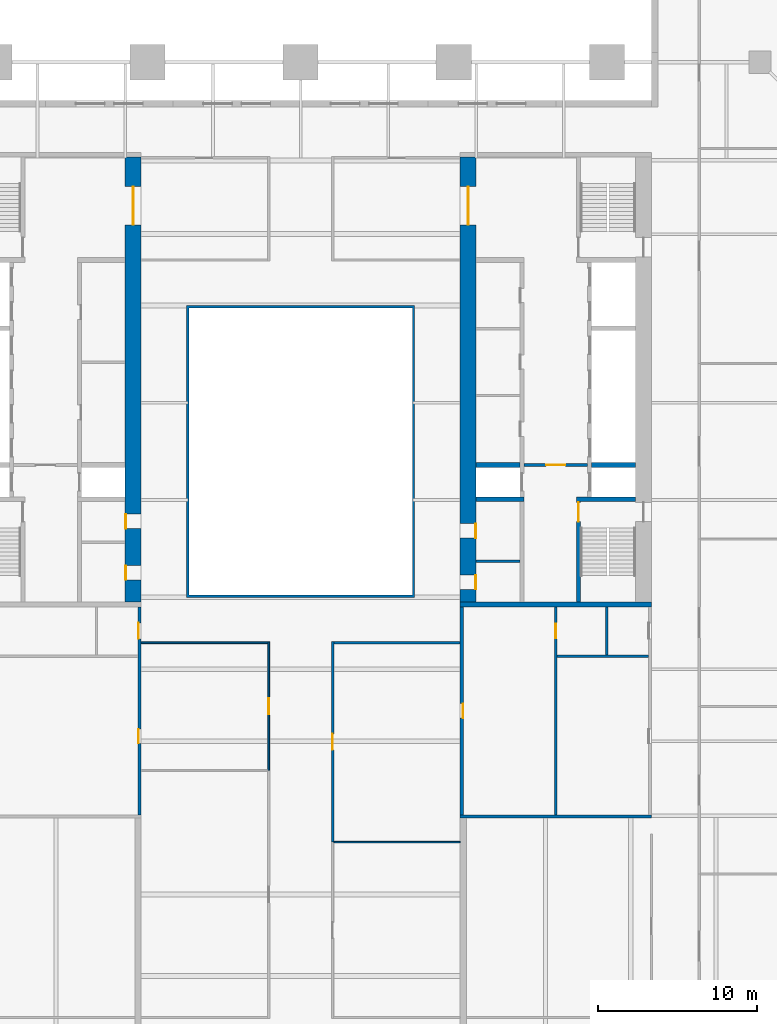
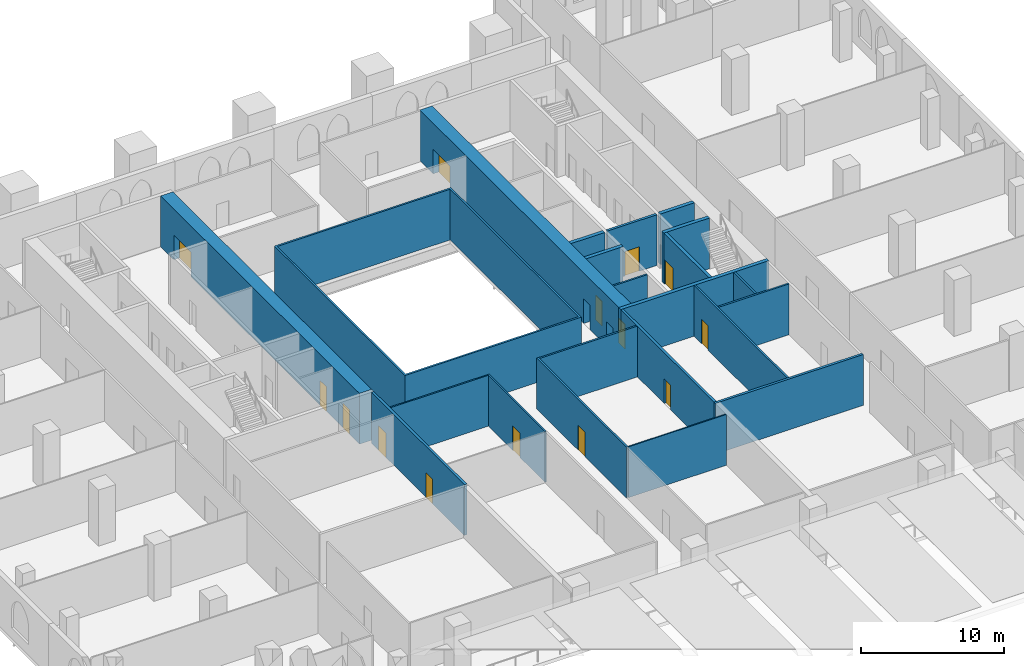
# One storey, part 11 of 18: 22 walls, 14 doors, 14 openings.
"""IFC4 building model written with IfcOpenShell, lengths in metres."""

from ifc_helpers import new_model, si_unit, direction, frame, frame_2d, origin, place, context, subcontext, project, spatial, polyline, rectangle, outline, extrude, material, layer, layer_set, type_object, element, fill, save


model = new_model("IFC4")

# Units and contexts
model_context = context("Model", 3, precision=1e-05, world=origin(), true_north=direction((0.0, 1.0)))
body_context = subcontext(model_context, "Body", "Model", "MODEL_VIEW")
ifc_project = project(units=[si_unit("LENGTHUNIT", "METRE"), si_unit("AREAUNIT", "SQUARE_METRE"), si_unit("VOLUMEUNIT", "CUBIC_METRE"), si_unit("PLANEANGLEUNIT", "RADIAN"), si_unit("MASSUNIT", "GRAM", prefix="KILO")], contexts=[model_context])

# Site, building, storey
site_placement = place(None, origin())
site = spatial("IfcSite", under=ifc_project, at=site_placement, CompositionType="ELEMENT")
building_placement = place(site_placement, origin())
building = spatial("IfcBuilding", under=site, at=building_placement, Name="Ogive Exchange Tower", CompositionType="ELEMENT")
storey_placement = place(building_placement, frame((0.0, 0.0, 28.800048828125)))
storey = spatial("IfcBuildingStorey", under=building, at=storey_placement, Name="L05", CompositionType="ELEMENT", Elevation=28.800048828125)

# Wall
ifc_material_1 = material(Name="Gypsum board partition")
ifc_layer_1 = layer(ifc_material_1, 0.14990234375)
ifc_layer_set_1 = layer_set([ifc_layer_1], Name="Core room partition 150 gypsum")
wall_type_1 = type_object("IfcWallType", Name="Core room partition 150 gypsum", PredefinedType="PARTITIONING", material=ifc_layer_set_1)
wall_1_placement = place(storey_placement, frame((11.0, 0.10009765625, 0.0), z_axis=(0.0, 0.0, 1.0), x_axis=(1.0, 0.0, 0.0)))
element("IfcWall", 1, at=wall_1_placement, inside=storey, type_object=wall_type_1, Name="E south room partition", PredefinedType="PARTITIONING", context=body_context, shape_type="SweptSolid", body=[
    extrude(rectangle(XDim=2.75, YDim=0.14990234375, at=frame_2d((1.375, 0.0))), origin(), (0.0, 0.0, 1.0), 4.349853515625),
])

# Wall, opening, door
wall_2_placement = place(storey_placement, frame((16.0, -15.800048828125, 0.0), z_axis=(0.0, 0.0, 1.0), x_axis=(0.0, 1.0, 0.0)))
wall_2 = element("IfcWall", 2, at=wall_2_placement, inside=storey, type_object=wall_type_1, Name="E annex S column wall", PredefinedType="PARTITIONING", context=body_context, shape_type="SweptSolid", body=[
    extrude(rectangle(XDim=13.050048828125, YDim=0.14990234375, at=frame_2d((6.52490234375, 0.0))), origin(), (0.0, 0.0, 1.0), 4.349853515625),
])
opening_1_placement = place(wall_2_placement, frame((11.08740234375, 0.0, 0.0)))
opening_1 = element("IfcOpeningElement", 3, at=opening_1_placement, cuts=wall_2, Name="Opening L05-C43", PredefinedType="OPENING", context=body_context, shape_type="SweptSolid", body=[
    extrude(rectangle(XDim=0.89990234375, YDim=2.10009765625, at=frame_2d((0.449951171875, 1.050048828125))), frame((0.0, 0.0849609375, 0.0), z_axis=(0.0, -1.0, 0.0), x_axis=(1.0, 0.0, 0.0)), (0.0, 0.0, 1.0), 0.169921875),
])
ifc_material_2 = material(Name="Steel fire door", Category="steel")
door_type_1 = type_object("IfcDoorType", Name="Riser door FD60 900 x 2100", OperationType="NOTDEFINED", PredefinedType="DOOR", material=ifc_material_2)
door_1_placement = place(opening_1_placement, frame((0.89990234375, 0.0, 0.0), z_axis=(0.0, 0.0, 1.0), x_axis=(-1.0, 0.0, 0.0)))
door_1 = element("IfcDoor", 4, at=door_1_placement, inside=storey, type_object=door_type_1, Name="Riser door", ObjectType="CD2", OperationType="SINGLE_SWING_RIGHT", OverallHeight=2.10009765625, OverallWidth=0.89990234375, PredefinedType="DOOR", context=body_context, shape_type="SweptSolid", body=[
    extrude(rectangle(XDim=0.89990234375, YDim=2.10009765625, at=frame_2d((0.449951171875, 1.050048828125))), frame((0.0, 0.02490234375, 0.0), z_axis=(0.0, -1.0, 0.0), x_axis=(1.0, 0.0, 0.0)), (0.0, 0.0, 1.0), 0.050048828125),
])
fill(opening_1, door_1)

# Walls
wall_3_placement = place(storey_placement, frame((16.074951171875, -5.85009765625, 0.0), z_axis=(0.0, 0.0, 1.0), x_axis=(1.0, 0.0, 0.0)))
element("IfcWall", 5, at=wall_3_placement, inside=storey, type_object=wall_type_1, Name="E annex S wc strip wall 00", PredefinedType="PARTITIONING", context=body_context, shape_type="SweptSolid", body=[
    extrude(rectangle(XDim=5.72509765625, YDim=0.14990234375, at=frame_2d((2.862548828125, 0.0))), origin(), (0.0, 0.0, 1.0), 4.349853515625),
])
wall_4_placement = place(storey_placement, frame((19.199951171875, -5.77490234375, 0.0), z_axis=(0.0, 0.0, 1.0), x_axis=(0.0, 1.0, 0.0)))
element("IfcWall", 6, at=wall_4_placement, inside=storey, type_object=wall_type_1, Name="E annex S wc partition 00", PredefinedType="PARTITIONING", context=body_context, shape_type="SweptSolid", body=[
    extrude(rectangle(XDim=3.02490234375, YDim=0.14990234375, at=frame_2d((1.512451171875, 0.0))), origin(), (0.0, 0.0, 1.0), 4.349853515625),
])
ifc_material_3 = material(Name="Fire partition EI 60 150")
ifc_layer_2 = layer(ifc_material_3, 0.14990234375)
ifc_layer_set_2 = layer_set([ifc_layer_2], Name="Fire partition EI 60 150")
wall_type_2 = type_object("IfcWallType", Name="Fire partition EI 60 150", PredefinedType="PARTITIONING", material=ifc_layer_set_2)
wall_5_placement = place(storey_placement, frame((2.074951171875, -5.0, 0.0), z_axis=(0.0, 0.0, 1.0), x_axis=(1.0, 0.0, 0.0)))
element("IfcWall", 7, at=wall_5_placement, inside=storey, type_object=wall_type_2, Name="L05-PWL-025", PredefinedType="PARTITIONING", context=body_context, shape_type="SweptSolid", body=[
    extrude(rectangle(XDim=7.925048828125, YDim=0.14990234375, at=frame_2d((3.96240234375, 0.0))), origin(), (0.0, 0.0, 1.0), 4.349853515625),
])

# Wall, opening, door
wall_6_placement = place(storey_placement, frame((2.0, -17.5, 0.0), z_axis=(0.0, 0.0, 1.0), x_axis=(0.0, 1.0, 0.0)))
wall_6 = element("IfcWall", 8, at=wall_6_placement, inside=storey, type_object=wall_type_2, Name="L05-PWL-057", PredefinedType="PARTITIONING", context=body_context, shape_type="SweptSolid", body=[
    extrude(rectangle(XDim=12.574951171875, YDim=0.14990234375, at=frame_2d((6.28759765625, 0.0))), origin(), (0.0, 0.0, 1.0), 4.349853515625),
])
opening_2_placement = place(wall_6_placement, frame((5.78759765625, 0.0, 0.0)))
opening_2 = element("IfcOpeningElement", 9, at=opening_2_placement, cuts=wall_6, Name="Opening L05-I23", PredefinedType="OPENING", context=body_context, shape_type="SweptSolid", body=[
    extrude(rectangle(XDim=1.0, YDim=2.10009765625, at=frame_2d((0.5, 1.050048828125))), frame((0.0, 0.0849609375, 0.0), z_axis=(0.0, -1.0, 0.0), x_axis=(1.0, 0.0, 0.0)), (0.0, 0.0, 1.0), 0.169921875),
])
ifc_material_4 = material(Name="Fire door FD 30S 1000 x 2100")
door_type_2 = type_object("IfcDoorType", Name="Fire door FD 30S 1000 x 2100", OperationType="NOTDEFINED", PredefinedType="DOOR", material=ifc_material_4)
door_2_placement = place(opening_2_placement, origin())
door_2 = element("IfcDoor", 10, at=door_2_placement, inside=storey, type_object=door_type_2, Name="L05-IDR-023", ObjectType="DT3", OperationType="SINGLE_SWING_LEFT", OverallHeight=2.10009765625, OverallWidth=1.0, PredefinedType="DOOR", context=body_context, shape_type="SweptSolid", body=[
    extrude(rectangle(XDim=1.0, YDim=2.10009765625, at=frame_2d((0.5, 1.050048828125))), frame((0.0, 0.02490234375, 0.0), z_axis=(0.0, -1.0, 0.0), x_axis=(1.0, 0.0, 0.0)), (0.0, 0.0, 1.0), 0.050048828125),
])
fill(opening_2, door_2)

# Walls
ifc_material_5 = material(Name="Fire-resisting glass in steel frame", Category="steel")
ifc_layer_3 = layer(ifc_material_5, 0.14990234375)
ifc_layer_set_3 = layer_set([ifc_layer_3], Name="Fire-rated glazed wall 150")
wall_type_3 = type_object("IfcWallType", Name="Fire-rated glazed wall 150", PredefinedType="STANDARD", material=ifc_layer_set_3)
wall_7_placement = place(storey_placement, origin())
element("IfcWall", 11, at=wall_7_placement, inside=storey, type_object=wall_type_3, Name="Nave enclosure wall", PredefinedType="STANDARD", context=body_context, shape_type="SweptSolid", body=[
    extrude(outline(polyline([(-7.14990234375, -2.14990234375), (7.14990234375, -2.14990234375), (7.14990234375, 16.14990234375), (-7.14990234375, 16.14990234375), (-7.14990234375, -2.14990234375)]), holes=[polyline([(-7.0, -2.0), (-7.0, 16.0), (7.0, 16.0), (7.0, -2.0), (-7.0, -2.0)])]), origin(), (0.0, 0.0, 1.0), 4.349853515625),
])
ifc_material_6 = material(Name="Glazed fire partition EI 60 120")
ifc_layer_4 = layer(ifc_material_6, 0.1201171875)
ifc_layer_set_4 = layer_set([ifc_layer_4], Name="Glazed fire partition EI 60 120")
wall_type_4 = type_object("IfcWallType", Name="Glazed fire partition EI 60 120", PredefinedType="PARTITIONING", material=ifc_layer_set_4)
wall_8_placement = place(storey_placement, frame((-10.0, -5.0, 0.0), z_axis=(0.0, 0.0, 1.0), x_axis=(1.0, 0.0, 0.0)))
element("IfcWall", 12, at=wall_8_placement, inside=storey, type_object=wall_type_4, Name="L05-PWL-024", PredefinedType="PARTITIONING", context=body_context, shape_type="SweptSolid", body=[
    extrude(rectangle(XDim=7.93994140625, YDim=0.1201171875, at=frame_2d((3.969970703125, 0.0))), origin(), (0.0, 0.0, 1.0), 4.349853515625),
])

# Wall, opening, door
wall_9_placement = place(storey_placement, frame((-2.0, -13.0, 0.0), z_axis=(0.0, 0.0, 1.0), x_axis=(0.0, 1.0, 0.0)))
wall_9 = element("IfcWall", 13, at=wall_9_placement, inside=storey, type_object=wall_type_4, Name="L05-PWL-054", PredefinedType="PARTITIONING", context=body_context, shape_type="SweptSolid", body=[
    extrude(rectangle(XDim=8.06005859375, YDim=0.1201171875, at=frame_2d((4.030029296875, 0.0))), origin(), (0.0, 0.0, 1.0), 4.349853515625),
])
opening_3_placement = place(wall_9_placement, frame((3.530029296875, 0.0, 0.0)))
opening_3 = element("IfcOpeningElement", 14, at=opening_3_placement, cuts=wall_9, Name="Opening L05-I21", PredefinedType="OPENING", context=body_context, shape_type="SweptSolid", body=[
    extrude(rectangle(XDim=1.0, YDim=2.10009765625, at=frame_2d((0.5, 1.050048828125))), frame((0.0, 0.070068359375, 0.0), z_axis=(0.0, -1.0, 0.0), x_axis=(1.0, 0.0, 0.0)), (0.0, 0.0, 1.0), 0.14013671875),
])
door_3_placement = place(opening_3_placement, origin())
door_3 = element("IfcDoor", 15, at=door_3_placement, inside=storey, type_object=door_type_2, Name="L05-IDR-021", ObjectType="DT3", OperationType="SINGLE_SWING_LEFT", OverallHeight=2.10009765625, OverallWidth=1.0, PredefinedType="DOOR", context=body_context, shape_type="SweptSolid", body=[
    extrude(rectangle(XDim=1.0, YDim=2.10009765625, at=frame_2d((0.5, 1.050048828125))), frame((0.0, 0.02490234375, 0.0), z_axis=(0.0, -1.0, 0.0), x_axis=(1.0, 0.0, 0.0)), (0.0, 0.0, 1.0), 0.050048828125),
])
fill(opening_3, door_3)

# Wall
ifc_material_7 = material(Name="Partition 100 gypsum")
ifc_layer_5 = layer(ifc_material_7, 0.10009765625)
ifc_layer_set_5 = layer_set([ifc_layer_5], Name="Partition 100 gypsum")
wall_type_5 = type_object("IfcWallType", Name="Partition 100 gypsum", PredefinedType="PARTITIONING", material=ifc_layer_set_5)
wall_10_placement = place(storey_placement, frame((2.074951171875, -17.5, 0.0), z_axis=(0.0, 0.0, 1.0), x_axis=(1.0, 0.0, 0.0)))
element("IfcWall", 16, at=wall_10_placement, inside=storey, type_object=wall_type_5, Name="L05-PWL-018", PredefinedType="PARTITIONING", context=body_context, shape_type="SweptSolid", body=[
    extrude(rectangle(XDim=7.925048828125, YDim=0.10009765625, at=frame_2d((3.96240234375, 0.0))), origin(), (0.0, 0.0, 1.0), 4.349853515625),
])

# Wall, openings, doors
ifc_material_8 = material(Name="Concrete C70/85", Category="concrete")
ifc_layer_6 = layer(ifc_material_8, 1.0)
ifc_layer_set_6 = layer_set([ifc_layer_6], Name="RC core wall 1000 C70/85")
wall_type_6 = type_object("IfcWallType", Name="RC core wall 1000 C70/85", PredefinedType="SHEAR", material=ifc_layer_set_6)
wall_11_placement = place(storey_placement, frame((-10.5, -2.449951171875, 0.0), z_axis=(0.0, 0.0, 1.0), x_axis=(0.0, 1.0, 0.0)))
wall_11 = element("IfcWall", 17, at=wall_11_placement, inside=storey, type_object=wall_type_6, Name="W inner wall", PredefinedType="SHEAR", context=body_context, shape_type="SweptSolid", body=[
    extrude(rectangle(XDim=27.89990234375, YDim=1.0, at=frame_2d((13.949951171875, 0.0))), origin(), (0.0, 0.0, 1.0), 4.349853515625),
])
opening_4_placement = place(wall_11_placement, frame((23.64990234375, 0.0, 0.0)))
opening_4 = element("IfcOpeningElement", 18, at=opening_4_placement, cuts=wall_11, Name="Opening L05-C12", PredefinedType="OPENING", context=body_context, shape_type="SweptSolid", body=[
    extrude(rectangle(XDim=2.39990234375, YDim=2.10009765625, at=frame_2d((1.199951171875, 1.050048828125))), frame((0.0, 0.510009765625, 0.0), z_axis=(0.0, -1.0, 0.0), x_axis=(1.0, 0.0, 0.0)), (0.0, 0.0, 1.0), 1.02001953125),
])
opening_5_placement = place(wall_11_placement, frame((1.387451171875, 0.0, 0.0)))
opening_5 = element("IfcOpeningElement", 19, at=opening_5_placement, cuts=wall_11, Name="Opening L05-C17", PredefinedType="OPENING", context=body_context, shape_type="SweptSolid", body=[
    extrude(rectangle(XDim=0.89990234375, YDim=2.10009765625, at=frame_2d((0.449951171875, 1.050048828125))), frame((0.0, 0.510009765625, 0.0), z_axis=(0.0, -1.0, 0.0), x_axis=(1.0, 0.0, 0.0)), (0.0, 0.0, 1.0), 1.02001953125),
])
opening_6_placement = place(wall_11_placement, frame((4.612548828125, 0.0, 0.0)))
opening_6 = element("IfcOpeningElement", 20, at=opening_6_placement, cuts=wall_11, Name="Opening L05-C18", PredefinedType="OPENING", context=body_context, shape_type="SweptSolid", body=[
    extrude(rectangle(XDim=0.89990234375, YDim=2.10009765625, at=frame_2d((0.449951171875, 1.050048828125))), frame((0.0, 0.510009765625, 0.0), z_axis=(0.0, -1.0, 0.0), x_axis=(1.0, 0.0, 0.0)), (0.0, 0.0, 1.0), 1.02001953125),
])
ifc_material_9 = material(Name="Timber fire door", Category="wood")
door_type_3 = type_object("IfcDoorType", Name="Core room door FD30S 900 x 2100", OperationType="NOTDEFINED", PredefinedType="DOOR", material=ifc_material_9)
door_4_placement = place(opening_5_placement, origin())
door_4 = element("IfcDoor", 21, at=door_4_placement, inside=storey, type_object=door_type_3, Name="Core room door", ObjectType="CD6", OperationType="SINGLE_SWING_LEFT", OverallHeight=2.10009765625, OverallWidth=0.89990234375, PredefinedType="DOOR", context=body_context, shape_type="SweptSolid", body=[
    extrude(rectangle(XDim=0.89990234375, YDim=2.10009765625, at=frame_2d((0.449951171875, 1.050048828125))), frame((0.0, 0.5, 0.0), z_axis=(0.0, -1.0, 0.0), x_axis=(1.0, 0.0, 0.0)), (0.0, 0.0, 1.0), 0.050048828125),
])
fill(opening_5, door_4)
ifc_material_10 = material(Name="Glazed steel fire door", Category="steel")
door_type_4 = type_object("IfcDoorType", Name="Lift lobby double door FD60 2400 x 2100", OperationType="DOUBLE_DOOR_SINGLE_SWING", PredefinedType="DOOR", material=ifc_material_10)
door_5_placement = place(opening_4_placement, frame((2.39990234375, 0.0, 0.0), z_axis=(0.0, 0.0, 1.0), x_axis=(-1.0, 0.0, 0.0)))
door_5 = element("IfcDoor", 22, at=door_5_placement, inside=storey, type_object=door_type_4, Name="Lift lobby double door", ObjectType="CD4", OperationType="DOUBLE_DOOR_SINGLE_SWING", OverallHeight=2.10009765625, OverallWidth=2.39990234375, PredefinedType="DOOR", context=body_context, shape_type="SweptSolid", body=[
    extrude(rectangle(XDim=2.39990234375, YDim=2.10009765625, at=frame_2d((1.199951171875, 1.050048828125))), frame((0.0, 0.02490234375, 0.0), z_axis=(0.0, -1.0, 0.0), x_axis=(1.0, 0.0, 0.0)), (0.0, 0.0, 1.0), 0.050048828125),
])
fill(opening_4, door_5)
door_6_placement = place(opening_6_placement, origin())
door_6 = element("IfcDoor", 23, at=door_6_placement, inside=storey, type_object=door_type_1, Name="Riser door", ObjectType="CD2", OperationType="SINGLE_SWING_RIGHT", OverallHeight=2.10009765625, OverallWidth=0.89990234375, PredefinedType="DOOR", context=body_context, shape_type="SweptSolid", body=[
    extrude(rectangle(XDim=0.89990234375, YDim=2.10009765625, at=frame_2d((0.449951171875, 1.050048828125))), frame((0.0, 0.5, 0.0), z_axis=(0.0, -1.0, 0.0), x_axis=(1.0, 0.0, 0.0)), (0.0, 0.0, 1.0), 0.050048828125),
])
fill(opening_6, door_6)

wall_12_placement = place(storey_placement, frame((10.5, -2.449951171875, 0.0), z_axis=(0.0, 0.0, 1.0), x_axis=(0.0, 1.0, 0.0)))
wall_12 = element("IfcWall", 24, at=wall_12_placement, inside=storey, type_object=wall_type_6, Name="E inner wall", PredefinedType="SHEAR", context=body_context, shape_type="SweptSolid", body=[
    extrude(rectangle(XDim=27.89990234375, YDim=1.0, at=frame_2d((13.949951171875, 0.0))), origin(), (0.0, 0.0, 1.0), 4.349853515625),
])
opening_7_placement = place(wall_12_placement, frame((23.64990234375, 0.0, 0.0)))
opening_7 = element("IfcOpeningElement", 25, at=opening_7_placement, cuts=wall_12, Name="Opening L05-C34", PredefinedType="OPENING", context=body_context, shape_type="SweptSolid", body=[
    extrude(rectangle(XDim=2.39990234375, YDim=2.10009765625, at=frame_2d((1.199951171875, 1.050048828125))), frame((0.0, 0.510009765625, 0.0), z_axis=(0.0, -1.0, 0.0), x_axis=(1.0, 0.0, 0.0)), (0.0, 0.0, 1.0), 1.02001953125),
])
opening_8_placement = place(wall_12_placement, frame((0.78759765625, 0.0, 0.0)))
opening_8 = element("IfcOpeningElement", 26, at=opening_8_placement, cuts=wall_12, Name="Opening L05-C39", PredefinedType="OPENING", context=body_context, shape_type="SweptSolid", body=[
    extrude(rectangle(XDim=0.89990234375, YDim=2.10009765625, at=frame_2d((0.449951171875, 1.050048828125))), frame((0.0, 0.510009765625, 0.0), z_axis=(0.0, -1.0, 0.0), x_axis=(1.0, 0.0, 0.0)), (0.0, 0.0, 1.0), 1.02001953125),
])
opening_9_placement = place(wall_12_placement, frame((4.012451171875, 0.0, 0.0)))
opening_9 = element("IfcOpeningElement", 27, at=opening_9_placement, cuts=wall_12, Name="Opening L05-C40", PredefinedType="OPENING", context=body_context, shape_type="SweptSolid", body=[
    extrude(rectangle(XDim=0.89990234375, YDim=2.10009765625, at=frame_2d((0.449951171875, 1.050048828125))), frame((0.0, 0.510009765625, 0.0), z_axis=(0.0, -1.0, 0.0), x_axis=(1.0, 0.0, 0.0)), (0.0, 0.0, 1.0), 1.02001953125),
])
door_7_placement = place(opening_8_placement, frame((0.89990234375, -0.9501953125, 0.0), z_axis=(0.0, 0.0, 1.0), x_axis=(-1.0, 0.0, 0.0)))
door_7 = element("IfcDoor", 28, at=door_7_placement, inside=storey, type_object=door_type_3, Name="Core room door", ObjectType="CD6", OperationType="SINGLE_SWING_LEFT", OverallHeight=2.10009765625, OverallWidth=0.89990234375, PredefinedType="DOOR", context=body_context, shape_type="SweptSolid", body=[
    extrude(rectangle(XDim=0.89990234375, YDim=2.10009765625, at=frame_2d((0.449951171875, 1.050048828125))), frame((0.0, -0.4501953125, 0.0), z_axis=(0.0, -1.0, 0.0), x_axis=(1.0, 0.0, 0.0)), (0.0, 0.0, 1.0), 0.050048828125),
])
fill(opening_8, door_7)
door_8_placement = place(opening_9_placement, frame((0.89990234375, -0.9501953125, 0.0), z_axis=(0.0, 0.0, 1.0), x_axis=(-1.0, 0.0, 0.0)))
door_8 = element("IfcDoor", 29, at=door_8_placement, inside=storey, type_object=door_type_3, Name="Core room door", ObjectType="CD6", OperationType="SINGLE_SWING_RIGHT", OverallHeight=2.10009765625, OverallWidth=0.89990234375, PredefinedType="DOOR", context=body_context, shape_type="SweptSolid", body=[
    extrude(rectangle(XDim=0.89990234375, YDim=2.10009765625, at=frame_2d((0.449951171875, 1.050048828125))), frame((0.0, -0.4501953125, 0.0), z_axis=(0.0, -1.0, 0.0), x_axis=(1.0, 0.0, 0.0)), (0.0, 0.0, 1.0), 0.050048828125),
])
fill(opening_9, door_8)
door_9_placement = place(opening_7_placement, origin())
door_9 = element("IfcDoor", 30, at=door_9_placement, inside=storey, type_object=door_type_4, Name="Lift lobby double door", ObjectType="CD4", OperationType="DOUBLE_DOOR_SINGLE_SWING", OverallHeight=2.10009765625, OverallWidth=2.39990234375, PredefinedType="DOOR", context=body_context, shape_type="SweptSolid", body=[
    extrude(rectangle(XDim=2.39990234375, YDim=2.10009765625, at=frame_2d((1.199951171875, 1.050048828125))), frame((0.0, 0.02490234375, 0.0), z_axis=(0.0, -1.0, 0.0), x_axis=(1.0, 0.0, 0.0)), (0.0, 0.0, 1.0), 0.050048828125),
])
fill(opening_7, door_9)

ifc_layer_7 = layer(ifc_material_8, 0.199951171875)
ifc_layer_set_7 = layer_set([ifc_layer_7], Name="RC core wall 200 C70/85")
wall_type_7 = type_object("IfcWallType", Name="RC core wall 200 C70/85", PredefinedType="SHEAR", material=ifc_layer_set_7)
wall_13_placement = place(storey_placement, frame((-10.10009765625, -15.800048828125, 0.0), z_axis=(0.0, 0.0, 1.0), x_axis=(0.0, 1.0, 0.0)))
wall_13 = element("IfcWall", 31, at=wall_13_placement, inside=storey, type_object=wall_type_7, Name="W annex S inner wall", PredefinedType="SHEAR", context=body_context, shape_type="SweptSolid", body=[
    extrude(rectangle(XDim=13.050048828125, YDim=0.199951171875, at=frame_2d((6.52490234375, 0.0))), origin(), (0.0, 0.0, 1.0), 4.349853515625),
])
opening_10_placement = place(wall_13_placement, frame((4.487548828125, 0.0, 0.0)))
opening_10 = element("IfcOpeningElement", 32, at=opening_10_placement, cuts=wall_13, Name="Opening L05-C19", PredefinedType="OPENING", context=body_context, shape_type="SweptSolid", body=[
    extrude(rectangle(XDim=0.89990234375, YDim=2.10009765625, at=frame_2d((0.449951171875, 1.050048828125))), frame((0.0, 0.10986328125, 0.0), z_axis=(0.0, -1.0, 0.0), x_axis=(1.0, 0.0, 0.0)), (0.0, 0.0, 1.0), 0.219970703125),
])
opening_11_placement = place(wall_13_placement, frame((11.03759765625, 0.0, 0.0)))
opening_11 = element("IfcOpeningElement", 33, at=opening_11_placement, cuts=wall_13, Name="Opening L05-C20", PredefinedType="OPENING", context=body_context, shape_type="SweptSolid", body=[
    extrude(rectangle(XDim=1.0, YDim=2.10009765625, at=frame_2d((0.5, 1.050048828125))), frame((0.0, 0.10986328125, 0.0), z_axis=(0.0, -1.0, 0.0), x_axis=(1.0, 0.0, 0.0)), (0.0, 0.0, 1.0), 0.219970703125),
])
door_type_5 = type_object("IfcDoorType", Name="Accessible WC door FD30S 1000 x 2100", OperationType="NOTDEFINED", PredefinedType="DOOR", material=ifc_material_9)
door_10_placement = place(opening_11_placement, origin())
door_10 = element("IfcDoor", 34, at=door_10_placement, inside=storey, type_object=door_type_5, Name="Accessible WC door", ObjectType="CD7", OperationType="SINGLE_SWING_LEFT", OverallHeight=2.10009765625, OverallWidth=1.0, PredefinedType="DOOR", context=body_context, shape_type="SweptSolid", body=[
    extrude(rectangle(XDim=1.0, YDim=2.10009765625, at=frame_2d((0.5, 1.050048828125))), frame((0.0, 0.10009765625, 0.0), z_axis=(0.0, -1.0, 0.0), x_axis=(1.0, 0.0, 0.0)), (0.0, 0.0, 1.0), 0.050048828125),
])
fill(opening_11, door_10)
door_11_placement = place(opening_10_placement, origin())
door_11 = element("IfcDoor", 35, at=door_11_placement, inside=storey, type_object=door_type_1, Name="Riser door", ObjectType="CD2", OperationType="SINGLE_SWING_RIGHT", OverallHeight=2.10009765625, OverallWidth=0.89990234375, PredefinedType="DOOR", context=body_context, shape_type="SweptSolid", body=[
    extrude(rectangle(XDim=0.89990234375, YDim=2.10009765625, at=frame_2d((0.449951171875, 1.050048828125))), frame((0.0, 0.10009765625, 0.0), z_axis=(0.0, -1.0, 0.0), x_axis=(1.0, 0.0, 0.0)), (0.0, 0.0, 1.0), 0.050048828125),
])
fill(opening_10, door_11)

# Wall, opening, door
wall_14_placement = place(storey_placement, frame((14.0, 6.142822265625, 0.0), z_axis=(0.0, 0.0, 1.0), x_axis=(1.0, 0.0, 0.0)))
wall_14 = element("IfcWall", 36, at=wall_14_placement, inside=storey, type_object=wall_type_7, Name="E firefighting lobby wall", PredefinedType="SHEAR", context=body_context, shape_type="SweptSolid", body=[
    extrude(rectangle(XDim=4.0, YDim=0.199951171875, at=frame_2d((2.0, 0.0))), origin(), (0.0, 0.0, 1.0), 4.349853515625),
])
opening_12_placement = place(wall_14_placement, frame((1.39990234375, 0.0, 0.0)))
opening_12 = element("IfcOpeningElement", 37, at=opening_12_placement, cuts=wall_14, Name="Opening L05-C33", PredefinedType="OPENING", context=body_context, shape_type="SweptSolid", body=[
    extrude(rectangle(XDim=1.199951171875, YDim=2.10009765625, at=frame_2d((0.60009765625, 1.050048828125))), frame((0.0, 0.10986328125, 0.0), z_axis=(0.0, -1.0, 0.0), x_axis=(1.0, 0.0, 0.0)), (0.0, 0.0, 1.0), 0.219970703125),
])
door_type_6 = type_object("IfcDoorType", Name="Firefighting lobby door FD60 1200 x 2100", OperationType="NOTDEFINED", PredefinedType="DOOR", material=ifc_material_2)
door_12_placement = place(opening_12_placement, frame((1.199951171875, 0.0, 0.0), z_axis=(0.0, 0.0, 1.0), x_axis=(-1.0, 0.0, 0.0)))
door_12 = element("IfcDoor", 38, at=door_12_placement, inside=storey, type_object=door_type_6, Name="Firefighting lobby door", ObjectType="CD3", OperationType="SINGLE_SWING_LEFT", OverallHeight=2.10009765625, OverallWidth=1.199951171875, PredefinedType="DOOR", context=body_context, shape_type="SweptSolid", body=[
    extrude(rectangle(XDim=1.199951171875, YDim=2.10009765625, at=frame_2d((0.60009765625, 1.050048828125))), frame((0.0, 0.02490234375, 0.0), z_axis=(0.0, -1.0, 0.0), x_axis=(1.0, 0.0, 0.0)), (0.0, 0.0, 1.0), 0.050048828125),
])
fill(opening_12, door_12)

wall_15_placement = place(storey_placement, frame((10.10009765625, -15.800048828125, 0.0), z_axis=(0.0, 0.0, 1.0), x_axis=(0.0, 1.0, 0.0)))
wall_15 = element("IfcWall", 39, at=wall_15_placement, inside=storey, type_object=wall_type_7, Name="E annex S inner wall", PredefinedType="SHEAR", context=body_context, shape_type="SweptSolid", body=[
    extrude(rectangle(XDim=13.050048828125, YDim=0.199951171875, at=frame_2d((6.52490234375, 0.0))), origin(), (0.0, 0.0, 1.0), 4.349853515625),
])
opening_13_placement = place(wall_15_placement, frame((6.074951171875, 0.0, 0.0)))
opening_13 = element("IfcOpeningElement", 40, at=opening_13_placement, cuts=wall_15, Name="Opening L05-C44", PredefinedType="OPENING", context=body_context, shape_type="SweptSolid", body=[
    extrude(rectangle(XDim=0.89990234375, YDim=2.10009765625, at=frame_2d((0.449951171875, 1.050048828125))), frame((0.0, 0.10986328125, 0.0), z_axis=(0.0, -1.0, 0.0), x_axis=(1.0, 0.0, 0.0)), (0.0, 0.0, 1.0), 0.219970703125),
])
door_13_placement = place(opening_13_placement, frame((0.89990234375, -0.14990234375, 0.0), z_axis=(0.0, 0.0, 1.0), x_axis=(-1.0, 0.0, 0.0)))
door_13 = element("IfcDoor", 41, at=door_13_placement, inside=storey, type_object=door_type_1, Name="Riser door", ObjectType="CD2", OperationType="SINGLE_SWING_LEFT", OverallHeight=2.10009765625, OverallWidth=0.89990234375, PredefinedType="DOOR", context=body_context, shape_type="SweptSolid", body=[
    extrude(rectangle(XDim=0.89990234375, YDim=2.10009765625, at=frame_2d((0.449951171875, 1.050048828125))), frame((0.0, -0.0498046875, 0.0), z_axis=(0.0, -1.0, 0.0), x_axis=(1.0, 0.0, 0.0)), (0.0, 0.0, 1.0), 0.050048828125),
])
fill(opening_13, door_13)

# Wall
wall_16_placement = place(storey_placement, frame((10.0, -15.89990234375, 0.0), z_axis=(0.0, 0.0, 1.0), x_axis=(1.0, 0.0, 0.0)))
element("IfcWall", 42, at=wall_16_placement, inside=storey, type_object=wall_type_7, Name="E annex S end wall", PredefinedType="SHEAR", context=body_context, shape_type="SweptSolid", body=[
    extrude(rectangle(XDim=12.0, YDim=0.199951171875, at=frame_2d((6.0, 0.0))), origin(), (0.0, 0.0, 1.0), 4.349853515625),
])

# Wall, opening, door
ifc_layer_8 = layer(ifc_material_8, 0.25)
ifc_layer_set_8 = layer_set([ifc_layer_8], Name="RC core wall 250 C70/85")
wall_type_8 = type_object("IfcWallType", Name="RC core wall 250 C70/85", PredefinedType="SHEAR", material=ifc_layer_set_8)
wall_17_placement = place(storey_placement, frame((17.425048828125, -2.449951171875, 0.0), z_axis=(0.0, 0.0, 1.0), x_axis=(0.0, 1.0, 0.0)))
wall_17 = element("IfcWall", 43, at=wall_17_placement, inside=storey, type_object=wall_type_8, Name="E stair S front wall", PredefinedType="SHEAR", context=body_context, shape_type="SweptSolid", body=[
    extrude(rectangle(XDim=6.300048828125, YDim=0.25, at=frame_2d((3.14990234375, 0.0))), origin(), (0.0, 0.0, 1.0), 4.349853515625),
])
opening_14_placement = place(wall_17_placement, frame((5.050048828125, 0.0, 0.0)))
opening_14 = element("IfcOpeningElement", 44, at=opening_14_placement, cuts=wall_17, Name="Opening L05-C35", PredefinedType="OPENING", context=body_context, shape_type="SweptSolid", body=[
    extrude(rectangle(XDim=1.199951171875, YDim=2.10009765625, at=frame_2d((0.60009765625, 1.050048828125))), frame((0.0, 0.135009765625, 0.0), z_axis=(0.0, -1.0, 0.0), x_axis=(1.0, 0.0, 0.0)), (0.0, 0.0, 1.0), 0.27001953125),
])
door_type_7 = type_object("IfcDoorType", Name="Stair door FD90 1200 x 2100", OperationType="NOTDEFINED", PredefinedType="DOOR", material=ifc_material_2)
door_14_placement = place(opening_14_placement, frame((1.199951171875, 0.0, 0.0), z_axis=(0.0, 0.0, 1.0), x_axis=(-1.0, 0.0, 0.0)))
door_14 = element("IfcDoor", 45, at=door_14_placement, inside=storey, type_object=door_type_7, Name="Stair door", ObjectType="CD5", OperationType="SINGLE_SWING_RIGHT", OverallHeight=2.10009765625, OverallWidth=1.199951171875, PredefinedType="DOOR", context=body_context, shape_type="SweptSolid", body=[
    extrude(rectangle(XDim=1.199951171875, YDim=2.10009765625, at=frame_2d((0.60009765625, 1.050048828125))), frame((0.0, 0.02490234375, 0.0), z_axis=(0.0, -1.0, 0.0), x_axis=(1.0, 0.0, 0.0)), (0.0, 0.0, 1.0), 0.050048828125),
])
fill(opening_14, door_14)

# Walls
ifc_layer_9 = layer(ifc_material_8, 0.300048828125)
ifc_layer_set_9 = layer_set([ifc_layer_9], Name="RC core wall 300 C70/85")
wall_type_9 = type_object("IfcWallType", Name="RC core wall 300 C70/85", PredefinedType="SHEAR", material=ifc_layer_set_9)
wall_18_placement = place(storey_placement, frame((10.0, -2.60009765625, 0.0), z_axis=(0.0, 0.0, 1.0), x_axis=(1.0, 0.0, 0.0)))
element("IfcWall", 46, at=wall_18_placement, inside=storey, type_object=wall_type_9, Name="E south end wall", PredefinedType="SHEAR", context=body_context, shape_type="SweptSolid", body=[
    extrude(rectangle(XDim=12.0, YDim=0.300048828125, at=frame_2d((6.0, 0.0))), origin(), (0.0, 0.0, 1.0), 4.349853515625),
])
wall_19_placement = place(storey_placement, frame((17.300048828125, 4.0, 0.0), z_axis=(0.0, 0.0, 1.0), x_axis=(1.0, 0.0, 0.0)))
element("IfcWall", 47, at=wall_19_placement, inside=storey, type_object=wall_type_9, Name="E stair S north wall", PredefinedType="SHEAR", context=body_context, shape_type="SweptSolid", body=[
    extrude(rectangle(XDim=3.699951171875, YDim=0.300048828125, at=frame_2d((1.85009765625, 0.0))), origin(), (0.0, 0.0, 1.0), 4.349853515625),
])
wall_20_placement = place(storey_placement, frame((18.25, 6.142822265625, 0.0), z_axis=(0.0, 0.0, 1.0), x_axis=(1.0, 0.0, 0.0)))
element("IfcWall", 48, at=wall_20_placement, inside=storey, type_object=wall_type_9, Name="E row A divider 1", PredefinedType="SHEAR", context=body_context, shape_type="SweptSolid", body=[
    extrude(rectangle(XDim=2.75, YDim=0.300048828125, at=frame_2d((1.375, 0.0))), origin(), (0.0, 0.0, 1.0), 4.349853515625),
])
wall_21_placement = place(storey_placement, frame((11.0, 4.0, 0.0), z_axis=(0.0, 0.0, 1.0), x_axis=(1.0, 0.0, 0.0)))
element("IfcWall", 49, at=wall_21_placement, inside=storey, type_object=wall_type_9, Name="E row B divider 0", PredefinedType="SHEAR", context=body_context, shape_type="SweptSolid", body=[
    extrude(rectangle(XDim=3.0, YDim=0.300048828125, at=frame_2d((1.5, 0.0))), origin(), (0.0, 0.0, 1.0), 4.349853515625),
])
wall_22_placement = place(storey_placement, frame((11.0, 6.142822265625, 0.0), z_axis=(0.0, 0.0, 1.0), x_axis=(1.0, 0.0, 0.0)))
element("IfcWall", 50, at=wall_22_placement, inside=storey, type_object=wall_type_9, Name="E row B divider 1", PredefinedType="SHEAR", context=body_context, shape_type="SweptSolid", body=[
    extrude(rectangle(XDim=2.75, YDim=0.300048828125, at=frame_2d((1.375, 0.0))), origin(), (0.0, 0.0, 1.0), 4.349853515625),
])

save(model, "model.ifc")
